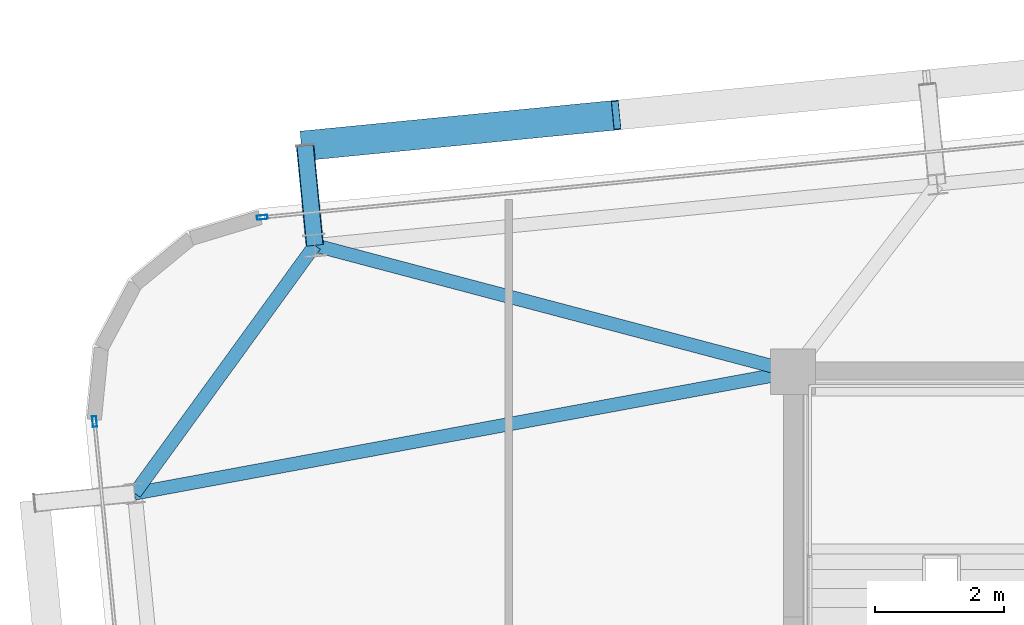
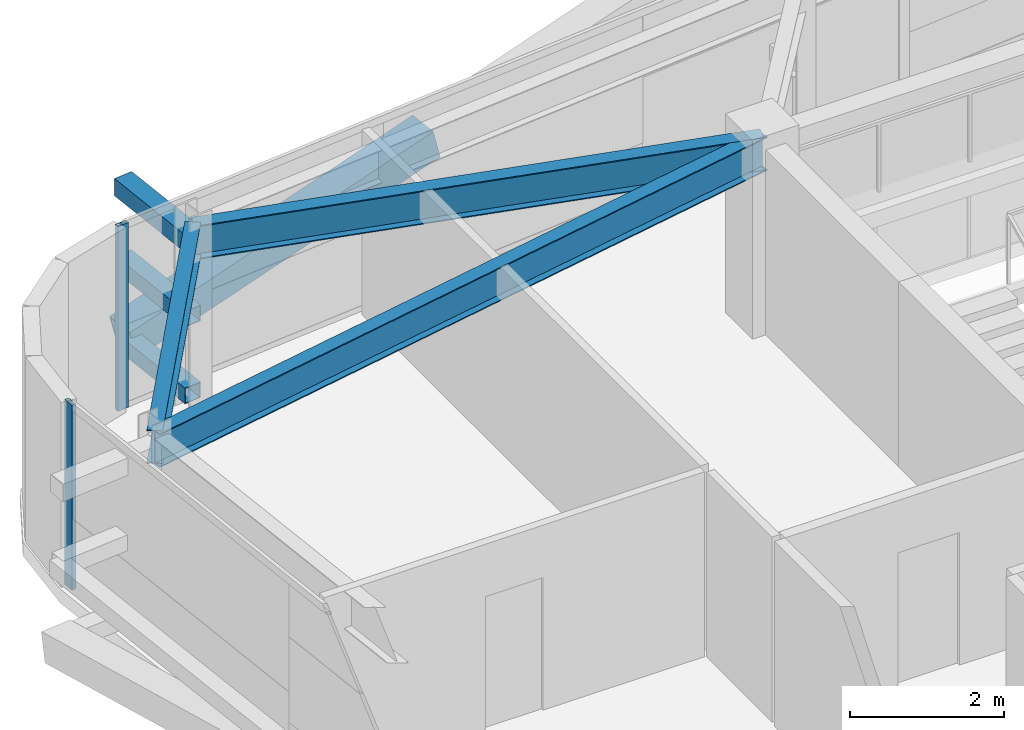
# One storey, part 24 of 47: 6 members, 3 beams, 2 elements without a shape of their own.
"""IFC4 building model written with IfcOpenShell, lengths in metres."""

from ifc_helpers import new_model, si_unit, direction, frame, origin, origin_2d, place, context, subcontext, project, spatial, hollow_rectangle, i_section, extrude, source, transform, mapped, material, layer, layer_set, material_profile, profile_set, type_object, element, aggregate, save


model = new_model("IFC4")

# Units and contexts
model_context = context("Model", 3, precision=1e-05, world=origin(), true_north=direction((0.0, 1.0)))
body_context = subcontext(model_context, "Body", "Model", "MODEL_VIEW")
ifc_project = project(units=[si_unit("LENGTHUNIT", "METRE"), si_unit("AREAUNIT", "SQUARE_METRE"), si_unit("VOLUMEUNIT", "CUBIC_METRE"), si_unit("PLANEANGLEUNIT", "RADIAN"), si_unit("MASSUNIT", "GRAM", prefix="KILO")], contexts=[model_context])

# Site, building, storey
site_placement = place(None, origin())
site = spatial("IfcSite", under=ifc_project, at=site_placement, CompositionType="ELEMENT")
building_placement = place(site_placement, origin())
building = spatial("IfcBuilding", under=site, at=building_placement, Name="Taldren Reach Tower", CompositionType="ELEMENT")
storey_placement = place(building_placement, frame((0.0, 0.0, 87.14990234375)))
storey = spatial("IfcBuildingStorey", under=building, at=storey_placement, Name="L26", CompositionType="ELEMENT", Elevation=87.14990234375)

# Beams
ifc_material_1 = material(Name="Steel Gr 350 (350PLUS)", Category="steel")
ifc_material_profile_1 = material_profile(ifc_material_1, i_section(OverallWidth=0.208984375, OverallDepth=0.528076171875, WebThickness=0.009521484375, FlangeThickness=0.01318359375, at=origin_2d()), Name="530UB82.0")
ifc_profile_set_1 = profile_set([ifc_material_profile_1], Name="Steel Gr 350 (350PLUS)")
beam_type_1 = type_object("IfcBeamType", Name="SP-UB530B", PredefinedType="SPANDREL", material=ifc_profile_set_1)
shared_shape_1 = source(origin(), body_context, "Body", "SweptSolid", [
    extrude(i_section(OverallWidth=0.208984375, OverallDepth=0.528076171875, WebThickness=0.009521484375, FlangeThickness=0.01318359375, at=origin_2d()), origin(), (0.0, 0.0, 1.0), 4.74609375),
])
beam_1_placement = place(storey_placement, frame((11.596923828125, 33.956787109375, 2.666015625), z_axis=(-0.587565912237, -0.809176308833, 0.0), x_axis=(0.809176308833, -0.587565912237, 0.0)))
element("IfcBeam", 1, at=beam_1_placement, inside=storey, type_object=beam_type_1, Name="Perimeter spandrel B2 N1-W3 L26", PredefinedType="SPANDREL", context=body_context, shape_type="MappedRepresentation", body=[
    mapped(shared_shape_1, transform((0.0, 0.0, 0.0), scale=1.0)),
])
ifc_material_profile_2 = material_profile(ifc_material_1, i_section(OverallWidth=0.208984375, OverallDepth=0.532958984375, WebThickness=0.01025390625, FlangeThickness=0.015625, at=origin_2d()), Name="530UB92.4")
ifc_profile_set_2 = profile_set([ifc_material_profile_2], Name="Steel Gr 350 (350PLUS)")
beam_type_2 = type_object("IfcBeamType", Name="BM-UB530A", PredefinedType="BEAM", material=ifc_profile_set_2)
shared_shape_2 = source(origin(), body_context, "Body", "SweptSolid", [
    extrude(i_section(OverallWidth=0.208984375, OverallDepth=0.532958984375, WebThickness=0.01025390625, FlangeThickness=0.015625, at=origin_2d()), origin(), (0.0, 0.0, 1.0), 7.6572265625),
])
beam_2_placement = place(storey_placement, frame((19.0, 32.0, 2.66357421875), z_axis=(-0.966797258245, 0.255544636904, 0.0), x_axis=(-0.255544636904, -0.966797258245, 0.0)))
element("IfcBeam", 2, at=beam_2_placement, inside=storey, type_object=beam_type_2, Name="Primary floor girder B2-N1 L26", PredefinedType="BEAM", context=body_context, shape_type="MappedRepresentation", body=[
    mapped(shared_shape_2, transform((0.0, 0.0, 0.0), scale=1.0)),
])
shared_shape_3 = source(origin(), body_context, "Body", "SweptSolid", [
    extrude(i_section(OverallWidth=0.208984375, OverallDepth=0.532958984375, WebThickness=0.01025390625, FlangeThickness=0.015625, at=origin_2d()), origin(), (0.0, 0.0, 1.0), 10.3642578125),
])
beam_3_placement = place(storey_placement, frame((19.0, 32.0, 2.66357421875), z_axis=(-0.983347548213, -0.181734970283, 0.0), x_axis=(0.181734970283, -0.983347548213, 0.0)))
element("IfcBeam", 3, at=beam_3_placement, inside=storey, type_object=beam_type_2, Name="Primary floor girder B2-W3 L26", PredefinedType="BEAM", context=body_context, shape_type="MappedRepresentation", body=[
    mapped(shared_shape_3, transform((0.0, 0.0, 0.0), scale=1.0)),
])

# Members
ifc_material_2 = material(Name="Steel Gr 450 (C450L0)", Category="steel")
ifc_material_profile_3 = material_profile(ifc_material_2, hollow_rectangle(XDim=0.27490234375, YDim=0.27490234375, WallThickness=0.00927734375, at=origin_2d()), Name="275x275x9.3SHS")
ifc_profile_set_3 = profile_set([ifc_material_profile_3], Name="Steel Gr 450 (C450L0)")
member_type_1 = type_object("IfcMemberType", Name="MB-TIE273", PredefinedType="STRUT", material=ifc_profile_set_3)
shared_shape_4 = source(origin(), body_context, "Body", "SweptSolid", [
    extrude(hollow_rectangle(XDim=0.27490234375, YDim=0.27490234375, WallThickness=0.00927734375, at=origin_2d()), origin(), (0.0, 0.0, 1.0), 1.550048828125),
])
member_1_placement = place(storey_placement, frame((11.596923828125, 33.956787109375, 2.650146484375), z_axis=(-0.097647892962, 0.9952210252, 0.0), x_axis=(-0.9952210252, -0.097647892962, 0.0)))
element("IfcMember", 4, at=member_1_placement, inside=storey, type_object=member_type_1, Name="Exoskeleton diaphragm tie strut B2-N1 L26", PredefinedType="STRUT", context=body_context, shape_type="MappedRepresentation", body=[
    mapped(shared_shape_4, transform((0.0, 0.0, 0.0), scale=1.0)),
])
ifc_material_profile_4 = material_profile(ifc_material_2, hollow_rectangle(XDim=0.4599609375, YDim=0.4599609375, WallThickness=0.01611328125, at=origin_2d()), Name="460x460x16.0SHS")
ifc_profile_set_4 = profile_set([ifc_material_profile_4], Name="Steel Gr 450 (C450L0)")
member_type_2 = type_object("IfcMemberType", Name="MB-EXO457", PredefinedType="BRACE", material=ifc_profile_set_4)
shared_shape_5 = source(origin(), body_context, "Body", "SweptSolid", [
    extrude(hollow_rectangle(XDim=0.4599609375, YDim=0.4599609375, WallThickness=0.01611328125, at=origin_2d()), origin(), (0.0, 0.0, 1.0), 4.990234375),
])
member_2_placement = place(storey_placement, frame((11.445556640625, 35.49951171875, 0.22021484375), z_axis=(0.965287024526, 0.094620633828, 0.24344998652), x_axis=(-0.097555749586, 0.995230061706, 0.0)))
element("IfcMember", 5, at=member_2_placement, inside=storey, type_object=member_type_2, Name="Exoskeleton Diagrid Brace B2-N1 L26", PredefinedType="BRACE", context=body_context, shape_type="MappedRepresentation", body=[
    mapped(shared_shape_5, transform((0.0, 0.0, 0.0), scale=1.0)),
])
ifc_material_3 = material(Name="Steel Gr 350 (C350L0)", Category="steel")
ifc_material_profile_5 = material_profile(ifc_material_3, hollow_rectangle(XDim=0.25, YDim=0.25, WallThickness=0.010009765625, at=origin_2d()), Name="250x250x10.0SHS")
ifc_profile_set_5 = profile_set([ifc_material_profile_5], Name="Steel Gr 350 (C350L0)")
member_type_3 = type_object("IfcMemberType", Name="MB-POST250", PredefinedType="POST", material=ifc_profile_set_5)
shared_shape_6 = source(origin(), body_context, "Body", "SweptSolid", [
    extrude(hollow_rectangle(XDim=0.25, YDim=0.25, WallThickness=0.010009765625, at=origin_2d()), origin(), (0.0, 0.0, 1.0), 1.550048828125),
])
for number, where, z_axis, x_axis, name in (
    (6, (11.596923828125, 33.956787109375, 0.22021484375), (-0.097647892962, 0.9952210252, 0.0), (-0.9952210252, -0.097647892962, 0.0), "Exoskeleton base diaphragm tie strut B2-N1 L26"),
    (7, (11.596923828125, 33.956787109375, 1.43505859375), (-0.097647892962, 0.9952210252, 0.0), (-0.9952210252, -0.097647892962, 0.0), "Exoskeleton mid-tier diaphragm tie B2-N1 L26"),
):
    element("IfcMember", number, at=place(storey_placement, frame(where, z_axis=z_axis, x_axis=x_axis)), inside=storey, type_object=member_type_3, Name=name, PredefinedType="POST", context=body_context, shape_type="MappedRepresentation", body=[
        mapped(shared_shape_6, transform((0.0, 0.0, 0.0), scale=1.0)),
    ])

# Curtain wall, member
ifc_material_4 = material(Name="Aluminium and Low-E Glass Unitised System", Category="aluminium")
ifc_layer = layer(ifc_material_4, 0.159912109375)
ifc_layer_set = layer_set([ifc_layer], Name="Aluminium and Low-E Glass Unitised System")
curtain_wall_type = type_object("IfcCurtainWallType", Name="CW-SYS-3", PredefinedType="NOTDEFINED", material=ifc_layer_set)
curtain_wall_1_placement = place(storey_placement, origin())
curtain_wall_1 = element("IfcCurtainWall", 8, at=curtain_wall_1_placement, inside=storey, type_object=curtain_wall_type, Name="Unitised curtain wall CW-L26-N", PredefinedType="NOTDEFINED")
ifc_material_5 = material(Name="Anodised Aluminium 6063-T6", Category="aluminium")
ifc_material_profile_6 = material_profile(ifc_material_5, hollow_rectangle(XDim=0.06494140625, YDim=0.1650390625, WallThickness=0.00390625, at=origin_2d()), Name="ALU-165x65x4RHS")
ifc_profile_set_6 = profile_set([ifc_material_profile_6], Name="Anodised Aluminium 6063-T6")
member_type_4 = type_object("IfcMemberType", Name="CW-MUL-165", PredefinedType="MULLION", material=ifc_profile_set_6)
shared_shape_7 = source(origin(), body_context, "Body", "SweptSolid", [
    extrude(hollow_rectangle(XDim=0.06494140625, YDim=0.1650390625, WallThickness=0.00390625, at=origin_2d()), origin(), (0.0, 0.0, 1.0), 2.93017578125),
])
member_3_placement = place(storey_placement, frame((10.783203125, 34.3896484375, 0.0), z_axis=(0.0, 0.0, 1.0), x_axis=(0.097582999046, -0.995227390247, 0.0)))
member_3 = element("IfcMember", 9, at=member_3_placement, type_object=member_type_4, Name="CW-3 mullion 5", PredefinedType="MULLION", context=body_context, shape_type="MappedRepresentation", body=[
    mapped(shared_shape_7, transform((0.0, 0.0, 0.0), scale=1.0)),
])
aggregate(curtain_wall_1, [member_3])

curtain_wall_2_placement = place(storey_placement, origin())
curtain_wall_2 = element("IfcCurtainWall", 10, at=curtain_wall_2_placement, inside=storey, type_object=curtain_wall_type, Name="Unitised curtain wall CW-L26-W", PredefinedType="NOTDEFINED")
member_4_placement = place(storey_placement, frame((8.186767578125, 31.228515625, 0.0), z_axis=(0.0, 0.0, 1.0), x_axis=(0.99522741555, 0.09758274098, 0.0)))
member_4 = element("IfcMember", 11, at=member_4_placement, type_object=member_type_4, Name="CW-3 mullion 1", PredefinedType="MULLION", context=body_context, shape_type="MappedRepresentation", body=[
    mapped(shared_shape_7, transform((0.0, 0.0, 0.0), scale=1.0)),
])
aggregate(curtain_wall_2, [member_4])

save(model, "model.ifc")
